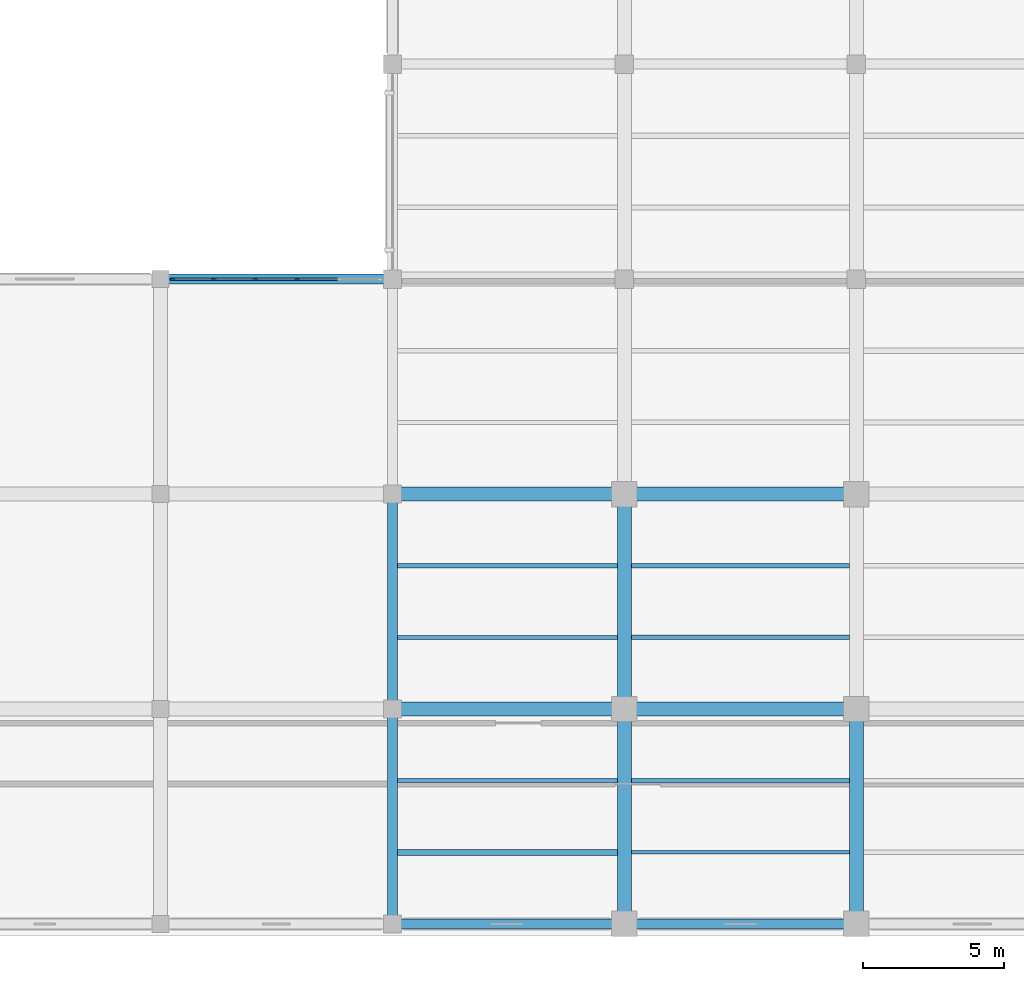
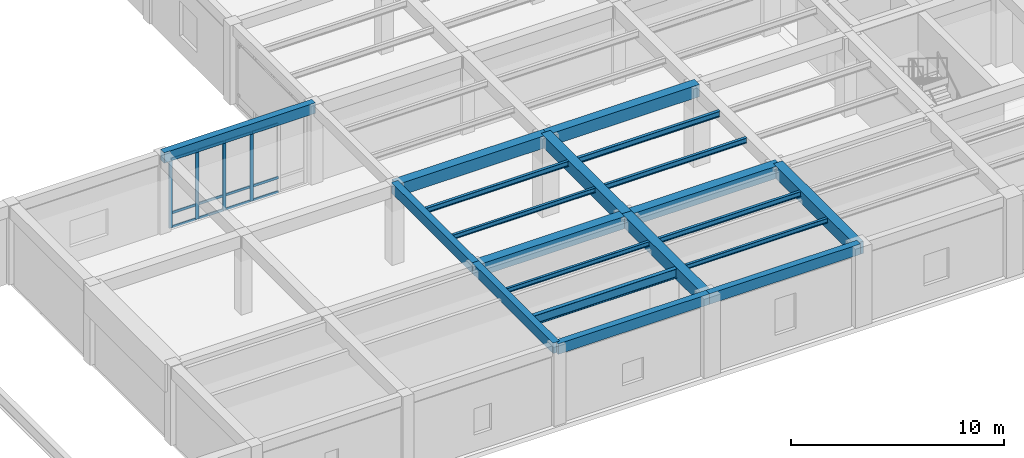
# One storey, part 10 of 49: 20 beams, 16 members, 1 element without a shape of its own.
"""IFC4 building model written with IfcOpenShell, lengths in metres."""

from ifc_helpers import new_model, si_unit, direction, frame, origin, origin_2d, place, context, subcontext, project, spatial, rectangle, i_section, extrude, material, material_profile, profile_set, type_object, element, aggregate, save


model = new_model("IFC4")

# Units and contexts
model_context = context("Model", 3, precision=1e-05, world=origin(), true_north=direction((0.0, 1.0)))
body_context = subcontext(model_context, "Body", "Model", "MODEL_VIEW")
ifc_project = project(units=[si_unit("LENGTHUNIT", "METRE"), si_unit("AREAUNIT", "SQUARE_METRE"), si_unit("VOLUMEUNIT", "CUBIC_METRE"), si_unit("PLANEANGLEUNIT", "RADIAN"), si_unit("MASSUNIT", "GRAM", prefix="KILO")], contexts=[model_context])

# Site, building, storey
site_placement = place(None, origin())
site = spatial("IfcSite", under=ifc_project, at=site_placement, CompositionType="ELEMENT")
building_placement = place(site_placement, origin())
building = spatial("IfcBuilding", under=site, at=building_placement, Name="Qandaris Square Conservatory and Botanical Centre", CompositionType="ELEMENT")
storey_placement = place(building_placement, frame((0.0, 0.0, 10.199951171875)))
storey = spatial("IfcBuildingStorey", under=building, at=storey_placement, Name="L02", CompositionType="ELEMENT", Elevation=10.199951171875)

# Beams
ifc_material_1 = material(Name="Steel S355", Category="steel")
ifc_material_profile_1 = material_profile(ifc_material_1, i_section(OverallWidth=0.14990234375, OverallDepth=0.300048828125, WebThickness=0.007080078125, FlangeThickness=0.0107421875, FilletRadius=0.014892578125, at=origin_2d()), Name="IPE 300")
ifc_profile_set_1 = profile_set([ifc_material_profile_1], Name="Steel S355")
beam_type_1 = type_object("IfcBeamType", Name="Composite Lab Joist IPE 300", PredefinedType="JOIST", material=ifc_profile_set_1)
beam_1_placement = place(storey_placement, frame((114.77490234375, 29.2666015625, 4.35009765625), z_axis=(1.0, 0.0, 0.0), x_axis=(0.0, 1.0, 0.0)))
element("IfcBeam", 1, at=beam_1_placement, inside=storey, type_object=beam_type_1, Name="L02 Composite Joist 1464", PredefinedType="JOIST", context=body_context, shape_type="SweptSolid", body=[
    extrude(i_section(OverallWidth=0.14990234375, OverallDepth=0.300048828125, WebThickness=0.007080078125, FlangeThickness=0.0107421875, FilletRadius=0.014892578125, at=origin_2d()), origin(), (0.0, 0.0, 1.0), 7.775146484375),
])
for number, where, z_axis, x_axis, name in (
    (2, (123.050048828125, 21.666748046875, 4.35009765625), (1.0, 0.0, 0.0), (0.0, 1.0, 0.0), "L02 Composite Joist 1470"),
    (3, (123.050048828125, 26.7333984375, 4.35009765625), (1.0, 0.0, 0.0), (0.0, 1.0, 0.0), "L02 Composite Joist 1471"),
):
    element("IfcBeam", number, at=place(storey_placement, frame(where, z_axis=z_axis, x_axis=x_axis)), inside=storey, type_object=beam_type_1, Name=name, PredefinedType="JOIST", context=body_context, shape_type="SweptSolid", body=[
        extrude(i_section(OverallWidth=0.14990234375, OverallDepth=0.300048828125, WebThickness=0.007080078125, FlangeThickness=0.0107421875, FilletRadius=0.014892578125, at=origin_2d()), origin(), (0.0, 0.0, 1.0), 7.699951171875),
    ])
ifc_material_profile_2 = material_profile(ifc_material_1, i_section(OverallWidth=0.159912109375, OverallDepth=0.330078125, WebThickness=0.007568359375, FlangeThickness=0.011474609375, FilletRadius=0.01806640625, at=origin_2d()), Name="IPE 330")
ifc_profile_set_2 = profile_set([ifc_material_profile_2], Name="Steel S355")
beam_type_2 = type_object("IfcBeamType", Name="Composite Lab Joist IPE 330", PredefinedType="JOIST", material=ifc_profile_set_2)
beam_2_placement = place(storey_placement, frame((123.050048828125, 29.2666015625, 4.3349609375), z_axis=(1.0, 0.0, 0.0), x_axis=(0.0, 1.0, 0.0)))
element("IfcBeam", 4, at=beam_2_placement, inside=storey, type_object=beam_type_2, Name="L02 Composite Joist 1472", PredefinedType="JOIST", context=body_context, shape_type="SweptSolid", body=[
    extrude(i_section(OverallWidth=0.159912109375, OverallDepth=0.330078125, WebThickness=0.007568359375, FlangeThickness=0.011474609375, FilletRadius=0.01806640625, at=origin_2d()), origin(), (0.0, 0.0, 1.0), 7.699951171875),
])

# Curtain wall, members
ifc_material_2 = material(Name="Anodised Aluminium", Category="aluminium")
curtain_wall_type = type_object("IfcCurtainWallType", Name="Unitised Curtain Wall CW-4-738x394", PredefinedType="USERDEFINED", material=ifc_material_2)
curtain_wall_placement = place(storey_placement, origin())
curtain_wall = element("IfcCurtainWall", 5, at=curtain_wall_placement, inside=storey, type_object=curtain_wall_type, Name="Curtain Wall CW-TWR-L02-5-1", ObjectType="GLAZED CURTAIN WALL", PredefinedType="USERDEFINED")
ifc_material_profile_3 = material_profile(ifc_material_2, rectangle(XDim=0.06494140625, YDim=0.179931640625, at=origin_2d()), Name="ALU-MUL 65x180")
ifc_profile_set_3 = profile_set([ifc_material_profile_3], Name="Anodised Aluminium")
member_type_1 = type_object("IfcMemberType", Name="Curtain Wall Mullion 65x180", PredefinedType="MULLION", material=ifc_profile_set_3)
member_1_placement = place(storey_placement, frame((111.22509765625, 39.39990234375, 0.0), z_axis=(0.0, 0.0, 1.0), x_axis=(0.0, -1.0, 0.0)))
member_1 = element("IfcMember", 6, at=member_1_placement, type_object=member_type_1, Name="CW-4-738x394 mullion 3", PredefinedType="MULLION", context=body_context, shape_type="SweptSolid", body=[
    extrude(rectangle(XDim=0.06494140625, YDim=0.179931640625, at=origin_2d()), origin(), (0.0, 0.0, 1.0), 3.945068359375),
])
member_2_placement = place(storey_placement, frame((109.75, 39.39990234375, 0.0), z_axis=(0.0, 0.0, 1.0), x_axis=(0.0, -1.0, 0.0)))
member_2 = element("IfcMember", 7, at=member_2_placement, type_object=member_type_1, Name="CW-4-738x394 mullion 4", PredefinedType="MULLION", context=body_context, shape_type="SweptSolid", body=[
    extrude(rectangle(XDim=0.06494140625, YDim=0.179931640625, at=origin_2d()), origin(), (0.0, 0.0, 1.0), 3.945068359375),
])
member_3_placement = place(storey_placement, frame((108.27490234375, 39.39990234375, 0.0), z_axis=(0.0, 0.0, 1.0), x_axis=(0.0, -1.0, 0.0)))
member_3 = element("IfcMember", 8, at=member_3_placement, type_object=member_type_1, Name="CW-4-738x394 mullion 5", PredefinedType="MULLION", context=body_context, shape_type="SweptSolid", body=[
    extrude(rectangle(XDim=0.06494140625, YDim=0.179931640625, at=origin_2d()), origin(), (0.0, 0.0, 1.0), 3.945068359375),
])
member_4_placement = place(storey_placement, frame((106.83251953125, 39.39990234375, 0.0), z_axis=(0.0, 0.0, 1.0), x_axis=(0.0, -1.0, 0.0)))
member_4 = element("IfcMember", 9, at=member_4_placement, type_object=member_type_1, Name="CW-4-738x394 mullion 6", PredefinedType="MULLION", context=body_context, shape_type="SweptSolid", body=[
    extrude(rectangle(XDim=0.06494140625, YDim=0.179931640625, at=origin_2d()), origin(), (0.0, 0.0, 1.0), 3.945068359375),
])
ifc_material_profile_4 = material_profile(ifc_material_2, rectangle(XDim=0.06494140625, YDim=0.139892578125, at=origin_2d()), Name="ALU-TRN 65x140")
ifc_profile_set_4 = profile_set([ifc_material_profile_4], Name="Anodised Aluminium")
member_type_2 = type_object("IfcMemberType", Name="Curtain Wall Transom 65x140", PredefinedType="USERDEFINED", material=ifc_profile_set_4)
member_5_placement = place(storey_placement, frame((112.66748046875, 39.39990234375, 0.032470703125), z_axis=(-1.0, 0.0, 0.0), x_axis=(0.0, -1.0, 0.0)))
member_5 = element("IfcMember", 10, at=member_5_placement, type_object=member_type_2, Name="CW-4-738x394 transom 2.1", ObjectType="TRANSOM", PredefinedType="USERDEFINED", context=body_context, shape_type="SweptSolid", body=[
    extrude(rectangle(XDim=0.06494140625, YDim=0.139892578125, at=origin_2d()), origin(), (0.0, 0.0, 1.0), 1.409912109375),
])
member_6_placement = place(storey_placement, frame((112.66748046875, 39.39990234375, 0.85009765625), z_axis=(-1.0, 0.0, 0.0), x_axis=(0.0, -1.0, 0.0)))
member_6 = element("IfcMember", 11, at=member_6_placement, type_object=member_type_2, Name="CW-4-738x394 transom 2.2", ObjectType="TRANSOM", PredefinedType="USERDEFINED", context=body_context, shape_type="SweptSolid", body=[
    extrude(rectangle(XDim=0.06494140625, YDim=0.139892578125, at=origin_2d()), origin(), (0.0, 0.0, 1.0), 1.409912109375),
])
member_7_placement = place(storey_placement, frame((112.66748046875, 39.39990234375, 3.91259765625), z_axis=(-1.0, 0.0, 0.0), x_axis=(0.0, -1.0, 0.0)))
member_7 = element("IfcMember", 12, at=member_7_placement, type_object=member_type_2, Name="CW-4-738x394 transom 2.3", ObjectType="TRANSOM", PredefinedType="USERDEFINED", context=body_context, shape_type="SweptSolid", body=[
    extrude(rectangle(XDim=0.06494140625, YDim=0.139892578125, at=origin_2d()), origin(), (0.0, 0.0, 1.0), 1.409912109375),
])
member_8_placement = place(storey_placement, frame((111.1923828125, 39.39990234375, 0.032470703125), z_axis=(-1.0, 0.0, 0.0), x_axis=(0.0, -1.0, 0.0)))
member_8 = element("IfcMember", 13, at=member_8_placement, type_object=member_type_2, Name="CW-4-738x394 transom 3.1", ObjectType="TRANSOM", PredefinedType="USERDEFINED", context=body_context, shape_type="SweptSolid", body=[
    extrude(rectangle(XDim=0.06494140625, YDim=0.139892578125, at=origin_2d()), origin(), (0.0, 0.0, 1.0), 1.409912109375),
])
member_9_placement = place(storey_placement, frame((111.1923828125, 39.39990234375, 0.85009765625), z_axis=(-1.0, 0.0, 0.0), x_axis=(0.0, -1.0, 0.0)))
member_9 = element("IfcMember", 14, at=member_9_placement, type_object=member_type_2, Name="CW-4-738x394 transom 3.2", ObjectType="TRANSOM", PredefinedType="USERDEFINED", context=body_context, shape_type="SweptSolid", body=[
    extrude(rectangle(XDim=0.06494140625, YDim=0.139892578125, at=origin_2d()), origin(), (0.0, 0.0, 1.0), 1.409912109375),
])
member_10_placement = place(storey_placement, frame((111.1923828125, 39.39990234375, 3.91259765625), z_axis=(-1.0, 0.0, 0.0), x_axis=(0.0, -1.0, 0.0)))
member_10 = element("IfcMember", 15, at=member_10_placement, type_object=member_type_2, Name="CW-4-738x394 transom 3.3", ObjectType="TRANSOM", PredefinedType="USERDEFINED", context=body_context, shape_type="SweptSolid", body=[
    extrude(rectangle(XDim=0.06494140625, YDim=0.139892578125, at=origin_2d()), origin(), (0.0, 0.0, 1.0), 1.409912109375),
])
member_11_placement = place(storey_placement, frame((109.717529296875, 39.39990234375, 0.032470703125), z_axis=(-1.0, 0.0, 0.0), x_axis=(0.0, -1.0, 0.0)))
member_11 = element("IfcMember", 16, at=member_11_placement, type_object=member_type_2, Name="CW-4-738x394 transom 4.1", ObjectType="TRANSOM", PredefinedType="USERDEFINED", context=body_context, shape_type="SweptSolid", body=[
    extrude(rectangle(XDim=0.06494140625, YDim=0.139892578125, at=origin_2d()), origin(), (0.0, 0.0, 1.0), 1.409912109375),
])
member_12_placement = place(storey_placement, frame((109.717529296875, 39.39990234375, 0.85009765625), z_axis=(-1.0, 0.0, 0.0), x_axis=(0.0, -1.0, 0.0)))
member_12 = element("IfcMember", 17, at=member_12_placement, type_object=member_type_2, Name="CW-4-738x394 transom 4.2", ObjectType="TRANSOM", PredefinedType="USERDEFINED", context=body_context, shape_type="SweptSolid", body=[
    extrude(rectangle(XDim=0.06494140625, YDim=0.139892578125, at=origin_2d()), origin(), (0.0, 0.0, 1.0), 1.409912109375),
])
member_13_placement = place(storey_placement, frame((109.717529296875, 39.39990234375, 3.91259765625), z_axis=(-1.0, 0.0, 0.0), x_axis=(0.0, -1.0, 0.0)))
member_13 = element("IfcMember", 18, at=member_13_placement, type_object=member_type_2, Name="CW-4-738x394 transom 4.3", ObjectType="TRANSOM", PredefinedType="USERDEFINED", context=body_context, shape_type="SweptSolid", body=[
    extrude(rectangle(XDim=0.06494140625, YDim=0.139892578125, at=origin_2d()), origin(), (0.0, 0.0, 1.0), 1.409912109375),
])
member_14_placement = place(storey_placement, frame((108.242431640625, 39.39990234375, 0.032470703125), z_axis=(-1.0, 0.0, 0.0), x_axis=(0.0, -1.0, 0.0)))
member_14 = element("IfcMember", 19, at=member_14_placement, type_object=member_type_2, Name="CW-4-738x394 transom 5.1", ObjectType="TRANSOM", PredefinedType="USERDEFINED", context=body_context, shape_type="SweptSolid", body=[
    extrude(rectangle(XDim=0.06494140625, YDim=0.139892578125, at=origin_2d()), origin(), (0.0, 0.0, 1.0), 1.37744140625),
])
member_15_placement = place(storey_placement, frame((108.242431640625, 39.39990234375, 0.85009765625), z_axis=(-1.0, 0.0, 0.0), x_axis=(0.0, -1.0, 0.0)))
member_15 = element("IfcMember", 20, at=member_15_placement, type_object=member_type_2, Name="CW-4-738x394 transom 5.2", ObjectType="TRANSOM", PredefinedType="USERDEFINED", context=body_context, shape_type="SweptSolid", body=[
    extrude(rectangle(XDim=0.06494140625, YDim=0.139892578125, at=origin_2d()), origin(), (0.0, 0.0, 1.0), 1.37744140625),
])
member_16_placement = place(storey_placement, frame((108.242431640625, 39.39990234375, 3.91259765625), z_axis=(-1.0, 0.0, 0.0), x_axis=(0.0, -1.0, 0.0)))
member_16 = element("IfcMember", 21, at=member_16_placement, type_object=member_type_2, Name="CW-4-738x394 transom 5.3", ObjectType="TRANSOM", PredefinedType="USERDEFINED", context=body_context, shape_type="SweptSolid", body=[
    extrude(rectangle(XDim=0.06494140625, YDim=0.139892578125, at=origin_2d()), origin(), (0.0, 0.0, 1.0), 1.37744140625),
])
aggregate(curtain_wall, [member_1, member_2, member_3, member_4, member_5, member_6, member_7, member_8, member_9, member_10, member_11, member_12, member_13, member_14, member_15, member_16])

# Beams
ifc_material_profile_5 = material_profile(ifc_material_1, i_section(OverallWidth=0.2099609375, OverallDepth=0.550048828125, WebThickness=0.010986328125, FlangeThickness=0.01708984375, FilletRadius=0.02392578125, at=origin_2d()), Name="IPE 550")
ifc_profile_set_5 = profile_set([ifc_material_profile_5], Name="Steel S355")
beam_type_3 = type_object("IfcBeamType", Name="Long-Span Foyer Joist IPE 550", PredefinedType="JOIST", material=ifc_profile_set_5)
beam_3_placement = place(storey_placement, frame((114.77490234375, 19.13330078125, 4.22509765625), z_axis=(1.0, 0.0, 0.0), x_axis=(0.0, 1.0, 0.0)))
element("IfcBeam", 22, at=beam_3_placement, inside=storey, type_object=beam_type_3, Name="L02 Composite Joist 1461", PredefinedType="JOIST", context=body_context, shape_type="SweptSolid", body=[
    extrude(i_section(OverallWidth=0.2099609375, OverallDepth=0.550048828125, WebThickness=0.010986328125, FlangeThickness=0.01708984375, FilletRadius=0.02392578125, at=origin_2d()), origin(), (0.0, 0.0, 1.0), 7.775146484375),
])
ifc_material_3 = material(Name="Concrete C50/60", Category="concrete")
ifc_material_profile_6 = material_profile(ifc_material_3, rectangle(XDim=0.35009765625, YDim=0.60009765625, at=origin_2d()), Name="RC-SP 350x600")
ifc_profile_set_6 = profile_set([ifc_material_profile_6], Name="Concrete C50/60")
beam_type_4 = type_object("IfcBeamType", Name="RC Edge Spandrel Beam 350x600", PredefinedType="SPANDREL", material=ifc_profile_set_6)
for number, where, z_axis, x_axis, name in (
    (23, (114.60009765625, 16.60009765625, 4.2451171875), (1.0, 0.0, 0.0), (0.0, 1.0, 0.0), "L02 Frame Beam 1296"),
    (24, (122.800048828125, 16.60009765625, 4.2451171875), (1.0, 0.0, 0.0), (0.0, 1.0, 0.0), "L02 Frame Beam 1297"),
):
    element("IfcBeam", number, at=place(storey_placement, frame(where, z_axis=z_axis, x_axis=x_axis)), inside=storey, type_object=beam_type_4, Name=name, PredefinedType="SPANDREL", context=body_context, shape_type="SweptSolid", body=[
        extrude(rectangle(XDim=0.35009765625, YDim=0.60009765625, at=origin_2d()), origin(), (0.0, 0.0, 1.0), 8.199951171875),
    ])
beam_4_placement = place(storey_placement, frame((106.39990234375, 39.39990234375, 4.2451171875), z_axis=(1.0, 0.0, 0.0), x_axis=(0.0, 1.0, 0.0)))
element("IfcBeam", 25, at=beam_4_placement, inside=storey, type_object=beam_type_4, Name="L02 Frame Beam 1323", PredefinedType="SPANDREL", context=body_context, shape_type="SweptSolid", body=[
    extrude(rectangle(XDim=0.35009765625, YDim=0.60009765625, at=origin_2d()), origin(), (0.0, 0.0, 1.0), 8.2001953125),
])
beam_5_placement = place(storey_placement, frame((114.60009765625, 16.60009765625, 4.2451171875), z_axis=(0.0, 1.0, 0.0), x_axis=(-1.0, 0.0, 0.0)))
element("IfcBeam", 26, at=beam_5_placement, inside=storey, type_object=beam_type_4, Name="L02 Frame Beam 1384", PredefinedType="SPANDREL", context=body_context, shape_type="SweptSolid", body=[
    extrude(rectangle(XDim=0.35009765625, YDim=0.60009765625, at=origin_2d()), origin(), (0.0, 0.0, 1.0), 7.599853515625),
])
beam_6_placement = place(storey_placement, frame((114.60009765625, 24.199951171875, 4.2451171875), z_axis=(0.0, 1.0, 0.0), x_axis=(-1.0, 0.0, 0.0)))
element("IfcBeam", 27, at=beam_6_placement, inside=storey, type_object=beam_type_4, Name="L02 Frame Beam 1385", PredefinedType="SPANDREL", context=body_context, shape_type="SweptSolid", body=[
    extrude(rectangle(XDim=0.35009765625, YDim=0.60009765625, at=origin_2d()), origin(), (0.0, 0.0, 1.0), 7.60009765625),
])
ifc_material_profile_7 = material_profile(ifc_material_3, rectangle(XDim=0.5, YDim=0.699951171875, at=origin_2d()), Name="RC-BM 500x700")
ifc_profile_set_7 = profile_set([ifc_material_profile_7], Name="Concrete C50/60")
beam_type_5 = type_object("IfcBeamType", Name="RC Floor Girder 500x700", PredefinedType="BEAM", material=ifc_profile_set_7)
for number, where, z_axis, x_axis, name in (
    (28, (114.60009765625, 24.199951171875, 4.16015625), (1.0, 0.0, 0.0), (0.0, 1.0, 0.0), "L02 Frame Beam 1304"),
    (29, (122.800048828125, 24.199951171875, 4.16015625), (1.0, 0.0, 0.0), (0.0, 1.0, 0.0), "L02 Frame Beam 1305"),
    (30, (114.60009765625, 31.800048828125, 4.16015625), (1.0, 0.0, 0.0), (0.0, 1.0, 0.0), "L02 Frame Beam 1312"),
    (31, (122.800048828125, 31.800048828125, 4.16015625), (1.0, 0.0, 0.0), (0.0, 1.0, 0.0), "L02 Frame Beam 1313"),
):
    element("IfcBeam", number, at=place(storey_placement, frame(where, z_axis=z_axis, x_axis=x_axis)), inside=storey, type_object=beam_type_5, Name=name, PredefinedType="BEAM", context=body_context, shape_type="SweptSolid", body=[
        extrude(rectangle(XDim=0.5, YDim=0.699951171875, at=origin_2d()), origin(), (0.0, 0.0, 1.0), 8.199951171875),
    ])
beam_7_placement = place(storey_placement, frame((122.800048828125, 16.60009765625, 4.16015625), z_axis=(0.0, 1.0, 0.0), x_axis=(-1.0, 0.0, 0.0)))
element("IfcBeam", 32, at=beam_7_placement, inside=storey, type_object=beam_type_5, Name="L02 Frame Beam 1395", PredefinedType="BEAM", context=body_context, shape_type="SweptSolid", body=[
    extrude(rectangle(XDim=0.5, YDim=0.699951171875, at=origin_2d()), origin(), (0.0, 0.0, 1.0), 7.599853515625),
])
beam_8_placement = place(storey_placement, frame((122.800048828125, 24.199951171875, 4.16015625), z_axis=(0.0, 1.0, 0.0), x_axis=(-1.0, 0.0, 0.0)))
element("IfcBeam", 33, at=beam_8_placement, inside=storey, type_object=beam_type_5, Name="L02 Frame Beam 1396", PredefinedType="BEAM", context=body_context, shape_type="SweptSolid", body=[
    extrude(rectangle(XDim=0.5, YDim=0.699951171875, at=origin_2d()), origin(), (0.0, 0.0, 1.0), 7.60009765625),
])
beam_9_placement = place(storey_placement, frame((131.0, 16.60009765625, 4.16015625), z_axis=(0.0, 1.0, 0.0), x_axis=(-1.0, 0.0, 0.0)))
element("IfcBeam", 34, at=beam_9_placement, inside=storey, type_object=beam_type_5, Name="L02 Frame Beam 1406", PredefinedType="BEAM", context=body_context, shape_type="SweptSolid", body=[
    extrude(rectangle(XDim=0.5, YDim=0.699951171875, at=origin_2d()), origin(), (0.0, 0.0, 1.0), 7.599853515625),
])
ifc_material_profile_8 = material_profile(ifc_material_1, i_section(OverallWidth=0.135009765625, OverallDepth=0.27001953125, WebThickness=0.006591796875, FlangeThickness=0.01025390625, FilletRadius=0.014892578125, at=origin_2d()), Name="IPE 270")
ifc_profile_set_8 = profile_set([ifc_material_profile_8], Name="Steel S355")
beam_type_6 = type_object("IfcBeamType", Name="Steel Floor Joist IPE 270", PredefinedType="JOIST", material=ifc_profile_set_8)
for number, where, z_axis, x_axis, name in (
    (35, (114.77490234375, 21.666748046875, 4.364990234375), (1.0, 0.0, 0.0), (0.0, 1.0, 0.0), "L02 Composite Joist 1462"),
    (36, (114.77490234375, 26.7333984375, 4.364990234375), (1.0, 0.0, 0.0), (0.0, 1.0, 0.0), "L02 Composite Joist 1463"),
):
    element("IfcBeam", number, at=place(storey_placement, frame(where, z_axis=z_axis, x_axis=x_axis)), inside=storey, type_object=beam_type_6, Name=name, PredefinedType="JOIST", context=body_context, shape_type="SweptSolid", body=[
        extrude(i_section(OverallWidth=0.135009765625, OverallDepth=0.27001953125, WebThickness=0.006591796875, FlangeThickness=0.01025390625, FilletRadius=0.014892578125, at=origin_2d()), origin(), (0.0, 0.0, 1.0), 7.775146484375),
    ])
beam_10_placement = place(storey_placement, frame((123.050048828125, 19.13330078125, 4.364990234375), z_axis=(1.0, 0.0, 0.0), x_axis=(0.0, 1.0, 0.0)))
element("IfcBeam", 37, at=beam_10_placement, inside=storey, type_object=beam_type_6, Name="L02 Composite Joist 1469", PredefinedType="JOIST", context=body_context, shape_type="SweptSolid", body=[
    extrude(i_section(OverallWidth=0.135009765625, OverallDepth=0.27001953125, WebThickness=0.006591796875, FlangeThickness=0.01025390625, FilletRadius=0.014892578125, at=origin_2d()), origin(), (0.0, 0.0, 1.0), 7.699951171875),
])

save(model, "model.ifc")
